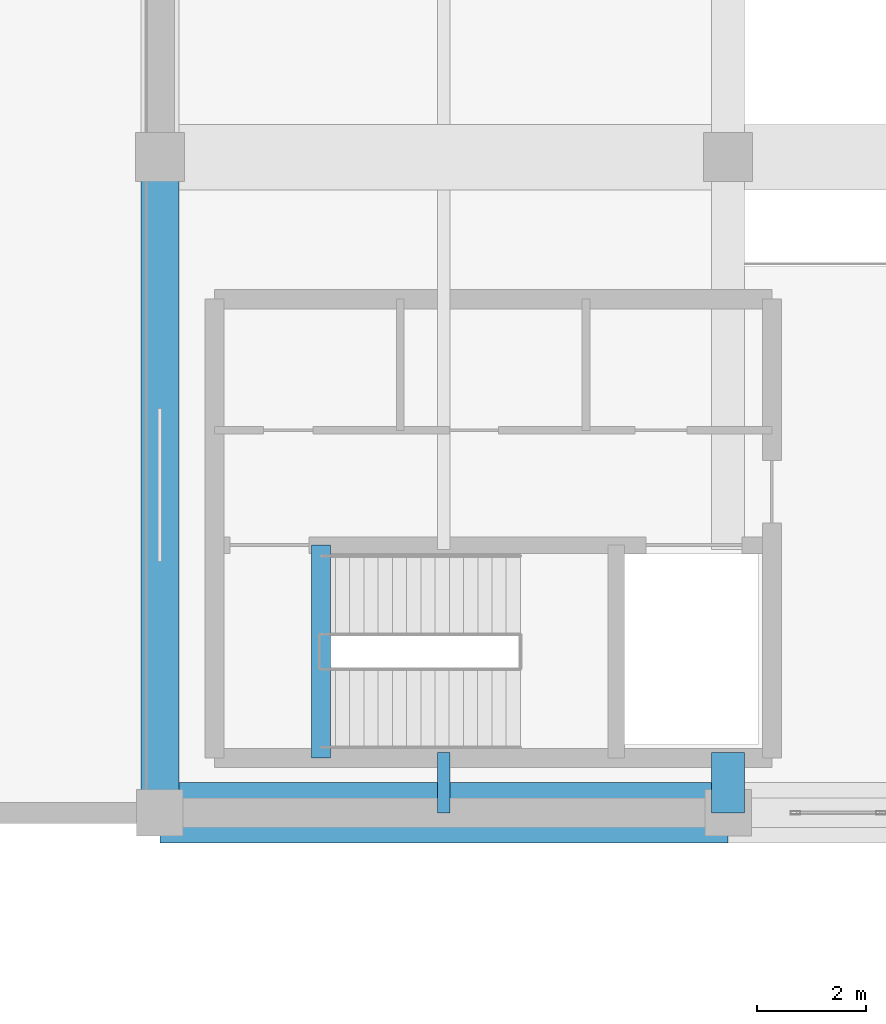
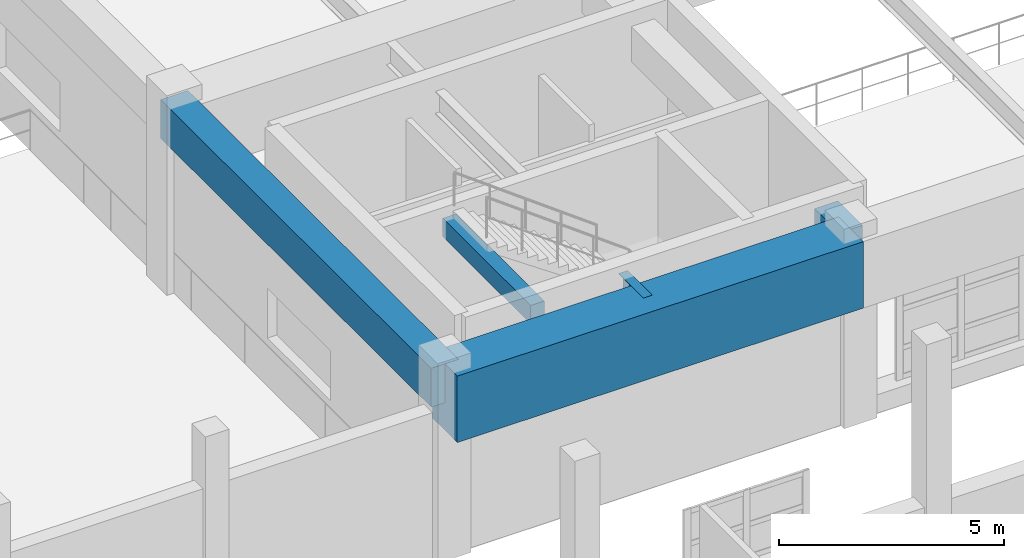
# One storey, part 24 of 197: 5 beams.
"""IFC4 building model written with IfcOpenShell, lengths in metres."""

from ifc_helpers import new_model, si_unit, derived_unit, direction, frame, origin, origin_2d, place, context, subcontext, project, spatial, rectangle, i_section, extrude, material, material_profile, profile_set, type_object, element, save


model = new_model("IFC4")

# Units and contexts
model_context = context("Model", 3, precision=1e-05, world=origin(), true_north=direction((0.0, 1.0)))
body_context = subcontext(model_context, "Body", "Model", "MODEL_VIEW")
ifc_project = project(units=[si_unit("LENGTHUNIT", "METRE"), si_unit("AREAUNIT", "SQUARE_METRE"), si_unit("VOLUMEUNIT", "CUBIC_METRE"), si_unit("PLANEANGLEUNIT", "RADIAN"), si_unit("MASSUNIT", "GRAM", prefix="KILO"), derived_unit("THERMALTRANSMITTANCEUNIT", [(si_unit("POWERUNIT", "WATT"), 1), (si_unit("LENGTHUNIT", "METRE"), -2), (si_unit("THERMODYNAMICTEMPERATUREUNIT", "KELVIN"), -1)])], contexts=[model_context])

# Site, building, storey
site_placement = place(None, origin())
site = spatial("IfcSite", under=ifc_project, at=site_placement, CompositionType="ELEMENT")
building_placement = place(site_placement, origin())
building = spatial("IfcBuilding", under=site, at=building_placement, Name="Almenara Railside Exhibition Hall", CompositionType="ELEMENT")
storey_placement = place(building_placement, frame((0.0, 0.0, 5.39990234375)))
storey = spatial("IfcBuildingStorey", under=building, at=storey_placement, Name="L01", CompositionType="ELEMENT", Elevation=5.39990234375)

# Beams
ifc_material_1 = material(Name="Concrete C40/50", Category="concrete")
ifc_material_profile_1 = material_profile(ifc_material_1, rectangle(XDim=1.10009765625, YDim=1.800048828125, at=origin_2d()), Name="RC 1100x1800")
ifc_profile_set_1 = profile_set([ifc_material_profile_1], Name="Concrete C40/50")
beam_type_1 = type_object("IfcBeamType", Name="RC End Transfer Girder 1100x1800 C40/50", PredefinedType="USERDEFINED", material=ifc_profile_set_1)
beam_1_placement = place(storey_placement, frame((12.0, 48.0, 4.09619140625), z_axis=(1.0, 0.0, 0.0), x_axis=(0.0, 1.0, 0.0)))
element("IfcBeam", 1, at=beam_1_placement, inside=storey, type_object=beam_type_1, Name="Beam 0556", ObjectType="GIRDER", PredefinedType="USERDEFINED", context=body_context, shape_type="SweptSolid", body=[
    extrude(rectangle(XDim=1.10009765625, YDim=1.800048828125, at=origin_2d()), origin(), (0.0, 0.0, 1.0), 10.39990234375),
])
ifc_material_profile_2 = material_profile(ifc_material_1, rectangle(XDim=0.60009765625, YDim=0.949951171875, at=origin_2d()), Name="RC 600x950")
ifc_profile_set_2 = profile_set([ifc_material_profile_2], Name="Concrete C40/50")
beam_type_2 = type_object("IfcBeamType", Name="RC Hall Edge Beam 600x950 C40/50", PredefinedType="BEAM", material=ifc_profile_set_2)
beam_2_placement = place(storey_placement, frame((22.39990234375, 48.0, 4.52099609375), z_axis=(0.0, 1.0, 0.0), x_axis=(-1.0, 0.0, 0.0)))
element("IfcBeam", 2, at=beam_2_placement, inside=storey, type_object=beam_type_2, Name="Beam 0583", PredefinedType="BEAM", context=body_context, shape_type="SweptSolid", body=[
    extrude(rectangle(XDim=0.60009765625, YDim=0.949951171875, at=origin_2d()), origin(), (0.0, 0.0, 1.0), 1.10009765625),
])
ifc_material_profile_3 = material_profile(ifc_material_1, rectangle(XDim=0.699951171875, YDim=1.050048828125, at=origin_2d()), Name="RC 700x1050")
ifc_profile_set_3 = profile_set([ifc_material_profile_3], Name="Concrete C40/50")
beam_type_3 = type_object("IfcBeamType", Name="RC Heavy Frame Beam 700x1050 C40/50", PredefinedType="BEAM", material=ifc_profile_set_3)
beam_3_placement = place(storey_placement, frame((12.0, 48.0, 4.47119140625), z_axis=(0.0, 1.0, 0.0), x_axis=(-1.0, 0.0, 0.0)))
element("IfcBeam", 3, at=beam_3_placement, inside=storey, type_object=beam_type_3, Name="Beam 0580", PredefinedType="BEAM", context=body_context, shape_type="SweptSolid", body=[
    extrude(rectangle(XDim=0.699951171875, YDim=1.050048828125, at=origin_2d()), origin(), (0.0, 0.0, 1.0), 12.0),
])
ifc_material_2 = material(Name="Concrete C35/45", Category="concrete")
ifc_material_profile_4 = material_profile(ifc_material_2, rectangle(XDim=0.35009765625, YDim=0.5, at=origin_2d()), Name="RC 350x500")
ifc_profile_set_4 = profile_set([ifc_material_profile_4], Name="Concrete C35/45")
beam_type_4 = type_object("IfcBeamType", Name="RC Spandrel Tie Beam 350x500 C35/45", PredefinedType="SPANDREL", material=ifc_profile_set_4)
beam_4_placement = place(storey_placement, frame((14.949951171875, 49.0, 4.74609375), z_axis=(0.0, 1.0, 0.0), x_axis=(-1.0, 0.0, 0.0)))
element("IfcBeam", 4, at=beam_4_placement, inside=storey, type_object=beam_type_4, Name="Stair trimmer ST-C1-L01", PredefinedType="SPANDREL", context=body_context, shape_type="SweptSolid", body=[
    extrude(rectangle(XDim=0.35009765625, YDim=0.5, at=origin_2d()), origin(), (0.0, 0.0, 1.0), 3.89990234375),
])
ifc_material_3 = material(Name="Structural steel S355JR", Category="steel")
ifc_material_profile_5 = material_profile(ifc_material_3, i_section(OverallWidth=0.22900390625, OverallDepth=0.6123046875, WebThickness=0.011962890625, FlangeThickness=0.01953125, FilletRadius=0.0126953125, at=origin_2d()), Name="UB 610x229x125")
ifc_profile_set_5 = profile_set([ifc_material_profile_5], Name="Structural steel S355JR")
beam_type_5 = type_object("IfcBeamType", Name="Steel Gallery Girder UB 610x229x125 S355JR", PredefinedType="USERDEFINED", material=ifc_profile_set_5)
beam_5_placement = place(storey_placement, frame((17.199951171875, 48.0, 4.68994140625), z_axis=(0.0, 1.0, 0.0), x_axis=(-1.0, 0.0, 0.0)))
element("IfcBeam", 5, at=beam_5_placement, inside=storey, type_object=beam_type_5, Name="Beam 0581", ObjectType="GIRDER", PredefinedType="USERDEFINED", context=body_context, shape_type="SweptSolid", body=[
    extrude(i_section(OverallWidth=0.22900390625, OverallDepth=0.6123046875, WebThickness=0.011962890625, FlangeThickness=0.01953125, FilletRadius=0.0126953125, at=origin_2d()), origin(), (0.0, 0.0, 1.0), 1.10009765625),
])

save(model, "model.ifc")
